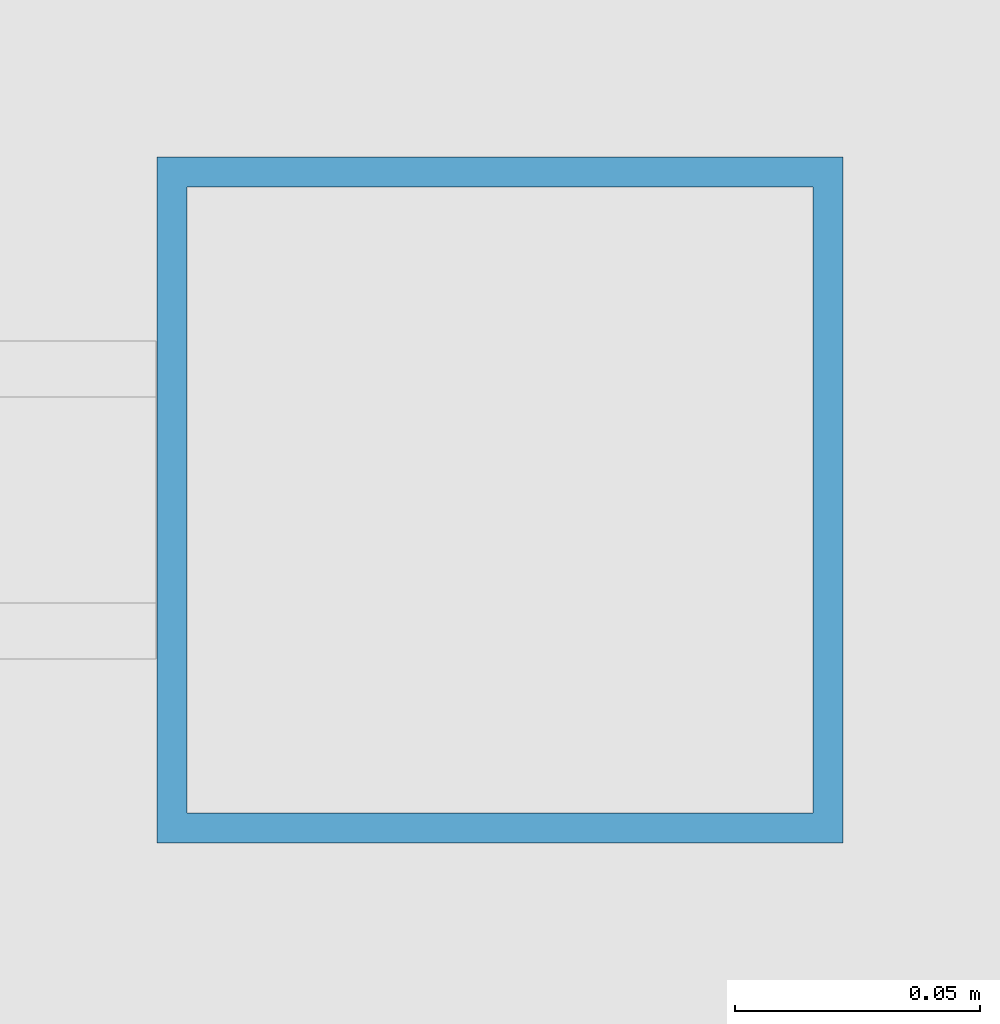
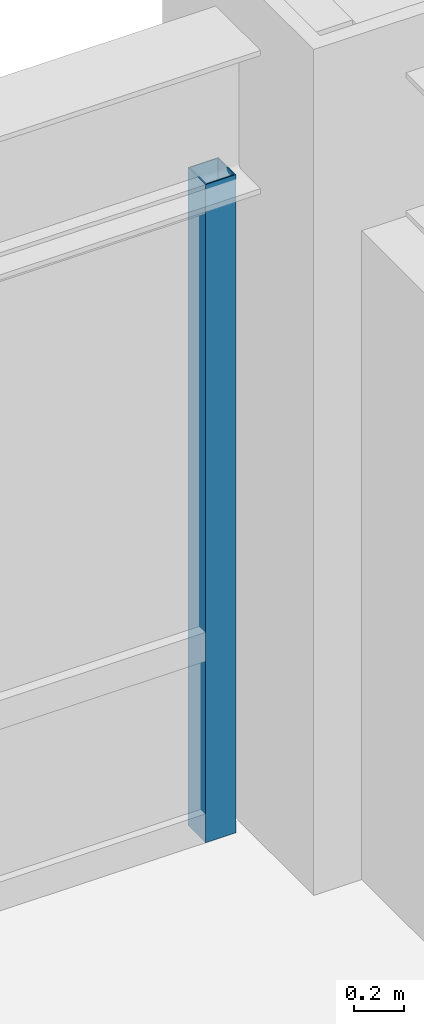
# One storey, part 21 of 28: 1 member, 1 element without a shape of its own.
"""IFC4 building model written with IfcOpenShell, lengths in metres."""

from ifc_helpers import new_model, si_unit, direction, frame, origin, origin_2d, place, context, subcontext, project, spatial, hollow_rectangle, extrude, source, transform, mapped, material, material_profile, profile_set, type_object, element, aggregate, save


model = new_model("IFC4")

# Units and contexts
model_context = context("Model", 3, precision=1e-05, world=origin(), true_north=direction((0.0, 1.0)))
body_context = subcontext(model_context, "Body", "Model", "MODEL_VIEW")
ifc_project = project(units=[si_unit("LENGTHUNIT", "METRE"), si_unit("AREAUNIT", "SQUARE_METRE"), si_unit("VOLUMEUNIT", "CUBIC_METRE"), si_unit("PLANEANGLEUNIT", "RADIAN"), si_unit("MASSUNIT", "GRAM", prefix="KILO")], contexts=[model_context])

# Site, building, storey
site_placement = place(None, origin())
site = spatial("IfcSite", under=ifc_project, at=site_placement, CompositionType="ELEMENT")
building_placement = place(site_placement, origin())
building = spatial("IfcBuilding", under=site, at=building_placement, Name="Khorayat Bourse Tower", CompositionType="ELEMENT")
storey_placement = place(building_placement, frame((0.0, 0.0, 116.0)))
storey = spatial("IfcBuildingStorey", under=building, at=storey_placement, Name="L26", CompositionType="ELEMENT", Elevation=116.0)

# Curtain wall, member
ifc_material = material(Name="Aluminium EN AW-6063 T6", Category="aluminium")
curtain_wall_type = type_object("IfcCurtainWallType", Name="CW-SYS-02", PredefinedType="NOTDEFINED", material=ifc_material)
curtain_wall_placement = place(storey_placement, origin())
curtain_wall = element("IfcCurtainWall", 1, at=curtain_wall_placement, inside=storey, type_object=curtain_wall_type, Name="L26 Curtain Wall CW-L26-N1", PredefinedType="NOTDEFINED")
ifc_material_profile = material_profile(ifc_material, hollow_rectangle(XDim=0.139892578125, YDim=0.139892578125, WallThickness=0.006103515625, at=origin_2d()), Name="ALU 140x140x6")
ifc_profile_set = profile_set([ifc_material_profile], Name="Aluminium EN AW-6063 T6")
member_type = type_object("IfcMemberType", Name="CWM-VERT-140", PredefinedType="MULLION", material=ifc_profile_set)
shared_shape = source(origin(), body_context, "Body", "SweptSolid", [
    extrude(hollow_rectangle(XDim=0.139892578125, YDim=0.139892578125, WallThickness=0.006103515625, at=origin_2d()), origin(), (0.0, 0.0, 1.0), 3.18994140625),
])
member_placement = place(storey_placement, frame((27.280029296875, 32.0, 0.0), z_axis=(0.0, 0.0, 1.0), x_axis=(0.0, 1.0, 0.0)))
member = element("IfcMember", 2, at=member_placement, type_object=member_type, Name="CW-L26-N1 Vertical Mullion 3", PredefinedType="MULLION", context=body_context, shape_type="MappedRepresentation", body=[
    mapped(shared_shape, transform((0.0, 0.0, 0.0), scale=1.0)),
])
aggregate(curtain_wall, [member])

save(model, "model.ifc")
